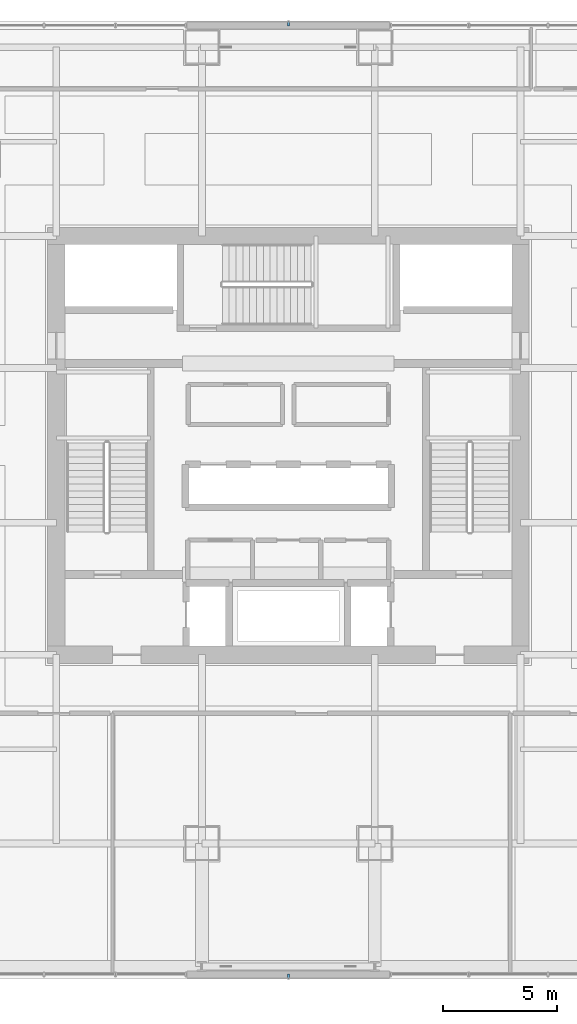
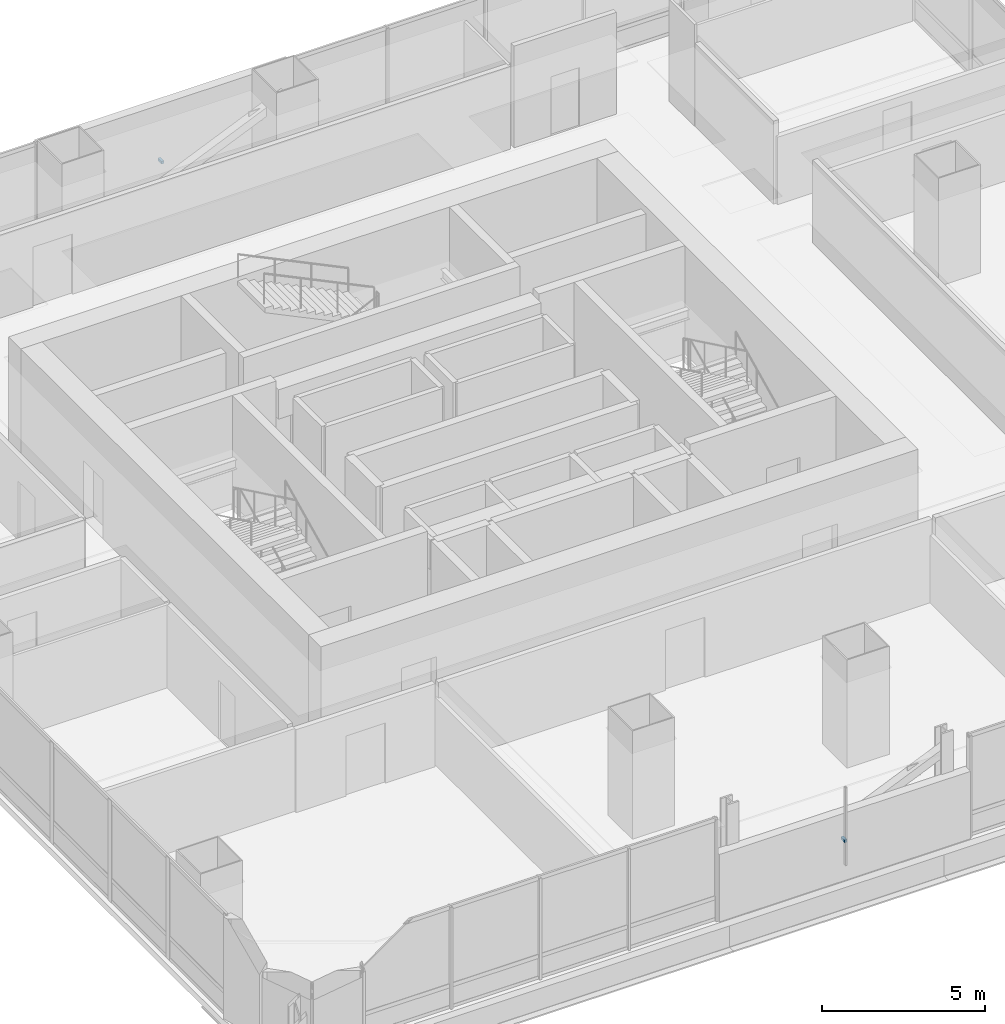
# One storey, part 31 of 40: 2 discrete accessories.
"""IFC4 building model written with IfcOpenShell, lengths in metres."""

from ifc_helpers import new_model, si_unit, direction, frame, origin, origin_2d, place, context, subcontext, project, spatial, rectangle, extrude, material, type_object, element, save


model = new_model("IFC4")

# Units and contexts
model_context = context("Model", 3, precision=1e-05, world=origin(), true_north=direction((0.0, 1.0)))
body_context = subcontext(model_context, "Body", "Model", "MODEL_VIEW")
ifc_project = project(units=[si_unit("LENGTHUNIT", "METRE"), si_unit("AREAUNIT", "SQUARE_METRE"), si_unit("VOLUMEUNIT", "CUBIC_METRE"), si_unit("PLANEANGLEUNIT", "RADIAN"), si_unit("MASSUNIT", "GRAM", prefix="KILO")], contexts=[model_context])

# Site, building, storey
site_placement = place(None, origin())
site = spatial("IfcSite", under=ifc_project, at=site_placement, CompositionType="ELEMENT")
building_placement = place(site_placement, origin())
building = spatial("IfcBuilding", under=site, at=building_placement, Name="Punatoya Terracotta Tower", CompositionType="ELEMENT")
storey_placement = place(building_placement, frame((0.0, 0.0, 76.800048828125)))
storey = spatial("IfcBuildingStorey", under=building, at=storey_placement, Name="L17", CompositionType="ELEMENT", Elevation=76.800048828125)

# Discrete accessories
ifc_material = material(Name="Steel S355", Category="steel")
discrete_accessory_type = type_object("IfcDiscreteAccessoryType", Name="ACC-BRK-220", PredefinedType="BRACKET", material=ifc_material)
for number, where, z_axis, x_axis, name in (
    (1, (0.0, -23.35009765625, 1.449951171875), (0.0, 0.0, 1.0), (1.0, 0.0, 0.0), "L17 Jali Fin Support Bracket S1"),
    (2, (0.0, 18.550048828125, 1.449951171875), (0.0, 0.0, 1.0), (-1.0, 0.0, 0.0), "L17 Jali Fin Support Bracket N1"),
):
    element("IfcDiscreteAccessory", number, at=place(storey_placement, frame(where, z_axis=z_axis, x_axis=x_axis)), inside=storey, type_object=discrete_accessory_type, Name=name, PredefinedType="BRACKET", context=body_context, shape_type="SweptSolid", body=[
        extrude(rectangle(XDim=0.090087890625, YDim=0.219970703125, at=origin_2d()), origin(), (0.0, 0.0, 1.0), 0.10009765625),
    ])

save(model, "model.ifc")
